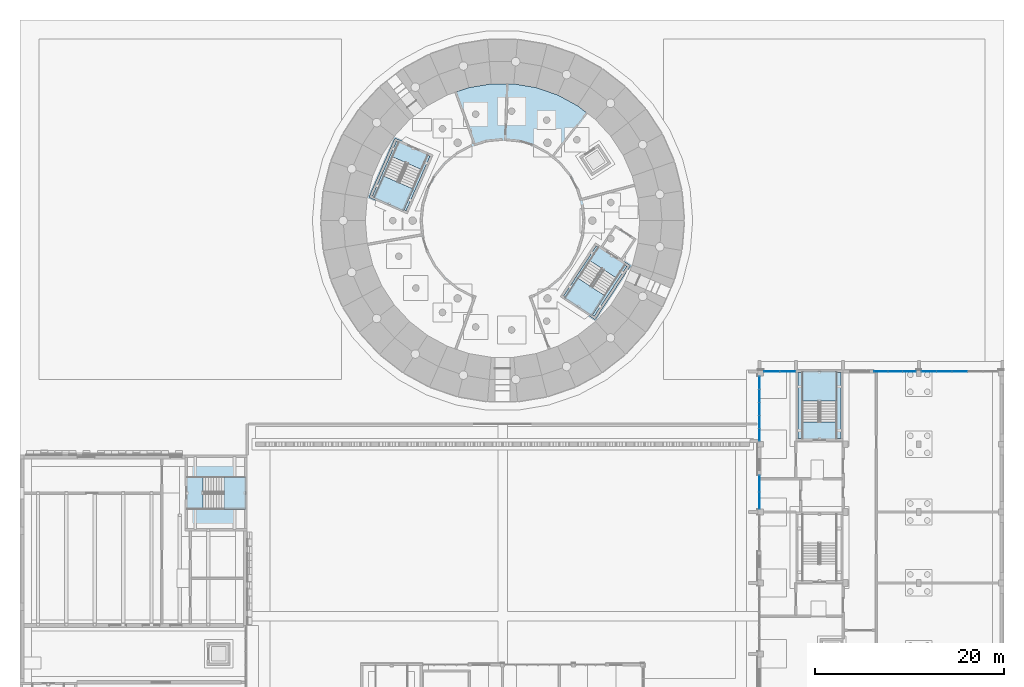
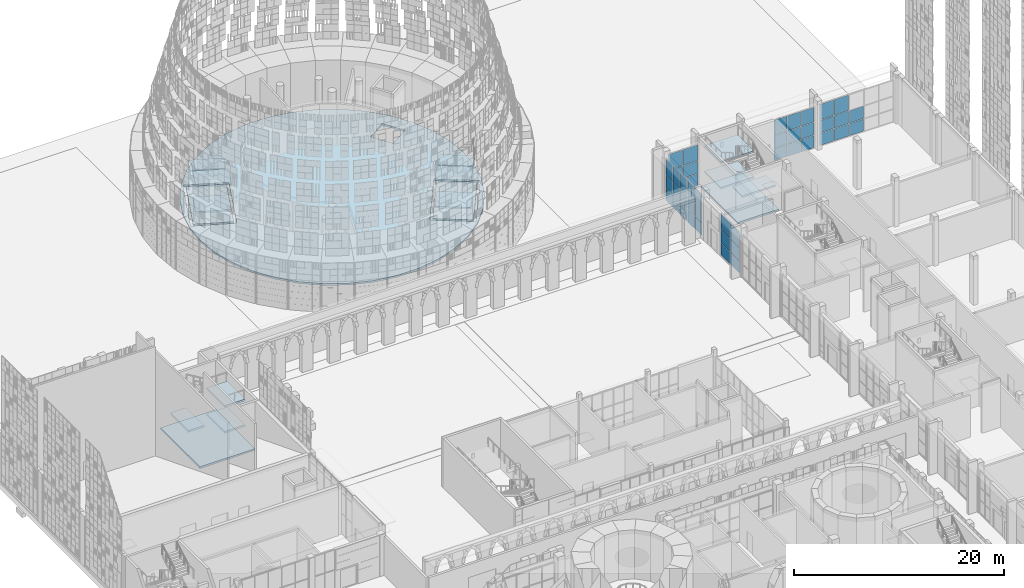
# One storey, part 45 of 125: 44 plates, 17 slabs, 9 elements without a shape of their own.
"""IFC4 building model written with IfcOpenShell, lengths in metres."""

from ifc_helpers import new_model, si_unit, direction, frame, origin, origin_2d, place, context, subcontext, project, spatial, polyline, rectangle, outline, extrude, material, layer, layer_set, type_object, element, aggregate, save


model = new_model("IFC4")

# Units and contexts
model_context = context("Model", 3, precision=1e-05, world=origin(), true_north=direction((0.0, 1.0)))
body_context = subcontext(model_context, "Body", "Model", "MODEL_VIEW")
ifc_project = project(units=[si_unit("LENGTHUNIT", "METRE"), si_unit("AREAUNIT", "SQUARE_METRE"), si_unit("VOLUMEUNIT", "CUBIC_METRE"), si_unit("PLANEANGLEUNIT", "RADIAN"), si_unit("MASSUNIT", "GRAM", prefix="KILO")], contexts=[model_context])

# Site, building, storey
site_placement = place(None, origin())
site = spatial("IfcSite", under=ifc_project, at=site_placement, CompositionType="ELEMENT")
building_placement = place(site_placement, origin())
building = spatial("IfcBuilding", under=site, at=building_placement, Name="Sun Court Science Centre", CompositionType="ELEMENT")
storey_placement = place(building_placement, origin())
storey = spatial("IfcBuildingStorey", under=building, at=storey_placement, Name="L00", CompositionType="ELEMENT", Elevation=0.0)

# Slabs
ifc_material_1 = material(Name="Concrete C25/30", Category="concrete")
ifc_layer_1 = layer(ifc_material_1, 0.199951171875)
ifc_layer_set_1 = layer_set([ifc_layer_1], Name="Concrete C25/30")
slab_type_1 = type_object("IfcSlabType", Name="RC ground slab 200", PredefinedType="BASESLAB", material=ifc_layer_set_1)
slab_1_placement = place(storey_placement, frame((0.0, 0.0, -0.199951171875)))
element("IfcSlab", 1, at=slab_1_placement, inside=storey, type_object=slab_type_1, Name="Stair SL4 ground slab", PredefinedType="BASESLAB", context=body_context, shape_type="SweptSolid", body=[
    extrude(outline(polyline([(82.25, 73.75), (86.75, 73.75), (86.75, 80.75), (82.25, 80.75), (82.25, 73.75)])), origin(), (0.0, 0.0, 1.0), 0.199951171875),
])
slab_2_placement = place(storey_placement, frame((0.0, 0.0, -0.199951171875)))
element("IfcSlab", 2, at=slab_2_placement, inside=storey, type_object=slab_type_1, Name="Stair ST2 ground slab", PredefinedType="BASESLAB", context=body_context, shape_type="SweptSolid", body=[
    extrude(outline(polyline([(17.699951171875, 64.25), (23.75, 64.25), (23.75, 71.75), (17.699951171875, 71.75), (17.699951171875, 64.25)])), origin(), (0.0, 0.0, 1.0), 0.199951171875),
])
slab_3_placement = place(storey_placement, frame((0.0, 0.0, -0.199951171875)))
element("IfcSlab", 3, at=slab_3_placement, inside=storey, type_object=slab_type_1, Name="Ground slab L00", PredefinedType="BASESLAB", context=body_context, shape_type="SweptSolid", body=[
    extrude(outline(polyline([(65.498291015625, 96.800048828125), (65.300537109375, 99.186279296875), (64.712646484375, 101.507568359375), (63.7509765625, 103.700439453125), (62.441162109375, 105.705078125), (60.8193359375, 107.466796875), (58.929931640625, 108.9375), (56.823974609375, 110.0771484375), (54.55908203125, 110.854736328125), (52.197265625, 111.248779296875), (49.802734375, 111.248779296875), (47.44091796875, 110.854736328125), (45.176025390625, 110.0771484375), (43.070068359375, 108.9375), (41.1806640625, 107.466796875), (39.558837890625, 105.705078125), (38.2490234375, 103.700439453125), (37.287353515625, 101.507568359375), (36.699462890625, 99.186279296875), (36.501708984375, 96.800048828125), (36.699462890625, 94.41357421875), (37.287353515625, 92.092529296875), (38.2490234375, 89.899658203125), (39.558837890625, 87.89501953125), (41.1806640625, 86.13330078125), (43.070068359375, 84.66259765625), (45.176025390625, 83.52294921875), (47.44091796875, 82.745361328125), (49.802734375, 82.351318359375), (52.197265625, 82.351318359375), (54.55908203125, 82.745361328125), (56.823974609375, 83.52294921875), (58.929931640625, 84.66259765625), (60.8193359375, 86.13330078125), (62.441162109375, 87.89501953125), (63.7509765625, 89.899658203125), (64.712646484375, 92.092529296875), (65.300537109375, 94.41357421875), (65.498291015625, 96.800048828125)]), holes=[polyline([(57.093505859375, 88.757568359375), (60.812744140625, 94.450439453125), (64.496337890625, 92.043701171875), (60.777099609375, 86.35107421875), (57.093505859375, 88.757568359375)]), polyline([(59.11669921875, 103.55126953125), (61.146728515625, 104.87744140625), (62.47314453125, 102.847412109375), (60.44287109375, 101.52099609375), (59.11669921875, 103.55126953125)]), polyline([(40.934326171875, 97.50244140625), (36.905029296875, 99.27001953125), (39.636474609375, 105.497314453125), (43.666015625, 103.729736328125), (40.934326171875, 97.50244140625)])]), origin(), (0.0, 0.0, 1.0), 0.199951171875),
])
slab_4_placement = place(storey_placement, frame((0.0, 0.0, -0.199951171875)))
element("IfcSlab", 4, at=slab_4_placement, inside=storey, type_object=slab_type_1, Name="Stair PS1 ground slab", PredefinedType="BASESLAB", context=body_context, shape_type="SweptSolid", body=[
    extrude(outline(polyline([(57.439453125, 88.830078125), (60.704345703125, 86.697021484375), (64.150146484375, 91.97119140625), (60.88525390625, 94.104248046875), (57.439453125, 88.830078125)])), origin(), (0.0, 0.0, 1.0), 0.199951171875),
])
slab_5_placement = place(storey_placement, frame((0.0, 0.0, -0.199951171875)))
element("IfcSlab", 5, at=slab_5_placement, inside=storey, type_object=slab_type_1, Name="Stair PS2 ground slab", PredefinedType="BASESLAB", context=body_context, shape_type="SweptSolid", body=[
    extrude(outline(polyline([(43.336669921875, 103.601318359375), (39.76513671875, 105.167724609375), (37.234375, 99.3984375), (40.805908203125, 97.831787109375), (43.336669921875, 103.601318359375)])), origin(), (0.0, 0.0, 1.0), 0.199951171875),
])

# Curtain wall, plates
ifc_material_2 = material(Name="Aluminium EN AW-6063 T6", Category="aluminium")
curtain_wall_type = type_object("IfcCurtainWallType", Name="Laboratory tall bay curtain wall 1500", PredefinedType="NOTDEFINED", material=ifc_material_2)
curtain_wall_1_placement = place(storey_placement, origin())
curtain_wall_1 = element("IfcCurtainWall", 6, at=curtain_wall_1_placement, inside=storey, type_object=curtain_wall_type, Name="Curtain wall V4 W L00 08", PredefinedType="NOTDEFINED")
ifc_material_3 = material(Name="Solar-control glass", Category="glass")
ifc_layer_2 = layer(ifc_material_3, 0.028076171875)
ifc_layer_set_2 = layer_set([ifc_layer_2], Name="Solar-control glass")
plate_type = type_object("IfcPlateType", Name="Solar-control glazing panel 8-12-8", PredefinedType="CURTAIN_PANEL", material=ifc_layer_set_2)
plate_1_placement = place(storey_placement, frame((78.14990234375, 67.215087890625, 0.06005859375), z_axis=(0.0, 0.0, 1.0), x_axis=(0.0, 1.0, 0.0)))
plate_1 = element("IfcPlate", 7, at=plate_1_placement, type_object=plate_type, Name="CW2-08 panel 1.1", PredefinedType="CURTAIN_PANEL", context=body_context, shape_type="SweptSolid", body=[
    extrude(rectangle(XDim=1.7099609375, YDim=0.028076171875, at=origin_2d()), origin(), (0.0, 0.0, 1.0), 1.409912109375),
])
plate_2_placement = place(storey_placement, frame((78.14990234375, 68.985107421875, 0.06005859375), z_axis=(0.0, 0.0, 1.0), x_axis=(0.0, 1.0, 0.0)))
plate_2 = element("IfcPlate", 8, at=plate_2_placement, type_object=plate_type, Name="CW2-08 panel 2.1", PredefinedType="CURTAIN_PANEL", context=body_context, shape_type="SweptSolid", body=[
    extrude(rectangle(XDim=1.7099609375, YDim=0.028076171875, at=origin_2d()), origin(), (0.0, 0.0, 1.0), 1.409912109375),
])
plate_3_placement = place(storey_placement, frame((78.14990234375, 67.215087890625, 1.530029296875), z_axis=(0.0, 0.0, 1.0), x_axis=(0.0, 1.0, 0.0)))
plate_3 = element("IfcPlate", 9, at=plate_3_placement, type_object=plate_type, Name="CW2-08 panel 1.2", PredefinedType="CURTAIN_PANEL", context=body_context, shape_type="SweptSolid", body=[
    extrude(rectangle(XDim=1.7099609375, YDim=0.028076171875, at=origin_2d()), origin(), (0.0, 0.0, 1.0), 1.43994140625),
])
plate_4_placement = place(storey_placement, frame((78.14990234375, 68.985107421875, 1.530029296875), z_axis=(0.0, 0.0, 1.0), x_axis=(0.0, 1.0, 0.0)))
plate_4 = element("IfcPlate", 10, at=plate_4_placement, type_object=plate_type, Name="CW2-08 panel 2.2", PredefinedType="CURTAIN_PANEL", context=body_context, shape_type="SweptSolid", body=[
    extrude(rectangle(XDim=1.7099609375, YDim=0.028076171875, at=origin_2d()), origin(), (0.0, 0.0, 1.0), 1.43994140625),
])
plate_5_placement = place(storey_placement, frame((78.14990234375, 67.215087890625, 3.030029296875), z_axis=(0.0, 0.0, 1.0), x_axis=(0.0, 1.0, 0.0)))
plate_5 = element("IfcPlate", 11, at=plate_5_placement, type_object=plate_type, Name="CW2-08 panel 1.3", PredefinedType="CURTAIN_PANEL", context=body_context, shape_type="SweptSolid", body=[
    extrude(rectangle(XDim=1.7099609375, YDim=0.028076171875, at=origin_2d()), origin(), (0.0, 0.0, 1.0), 1.81005859375),
])
plate_6_placement = place(storey_placement, frame((78.14990234375, 68.985107421875, 3.030029296875), z_axis=(0.0, 0.0, 1.0), x_axis=(0.0, 1.0, 0.0)))
plate_6 = element("IfcPlate", 12, at=plate_6_placement, type_object=plate_type, Name="CW2-08 panel 2.3", PredefinedType="CURTAIN_PANEL", context=body_context, shape_type="SweptSolid", body=[
    extrude(rectangle(XDim=1.7099609375, YDim=0.028076171875, at=origin_2d()), origin(), (0.0, 0.0, 1.0), 1.81005859375),
])
aggregate(curtain_wall_1, [plate_1, plate_2, plate_3, plate_4, plate_5, plate_6])

curtain_wall_2_placement = place(storey_placement, origin())
curtain_wall_2 = element("IfcCurtainWall", 13, at=curtain_wall_2_placement, inside=storey, type_object=curtain_wall_type, Name="Curtain wall V4 W L00 09", PredefinedType="NOTDEFINED")
plate_7_placement = place(storey_placement, frame((78.14990234375, 74.155029296875, 0.06005859375), z_axis=(0.0, 0.0, 1.0), x_axis=(0.0, 1.0, 0.0)))
plate_7 = element("IfcPlate", 14, at=plate_7_placement, type_object=plate_type, Name="CW2-09 panel 1.1", PredefinedType="CURTAIN_PANEL", context=body_context, shape_type="SweptSolid", body=[
    extrude(rectangle(XDim=1.2900390625, YDim=0.028076171875, at=origin_2d()), origin(), (0.0, 0.0, 1.0), 1.409912109375),
])
plate_8_placement = place(storey_placement, frame((78.14990234375, 75.52001953125, 0.06005859375), z_axis=(0.0, 0.0, 1.0), x_axis=(0.0, 1.0, 0.0)))
plate_8 = element("IfcPlate", 15, at=plate_8_placement, type_object=plate_type, Name="CW2-09 panel 2.1", PredefinedType="CURTAIN_PANEL", context=body_context, shape_type="SweptSolid", body=[
    extrude(rectangle(XDim=1.320068359375, YDim=0.028076171875, at=origin_2d()), origin(), (0.0, 0.0, 1.0), 1.409912109375),
])
plate_9_placement = place(storey_placement, frame((78.14990234375, 76.89990234375, 0.06005859375), z_axis=(0.0, 0.0, 1.0), x_axis=(0.0, 1.0, 0.0)))
plate_9 = element("IfcPlate", 16, at=plate_9_placement, type_object=plate_type, Name="CW2-09 panel 3.1", PredefinedType="CURTAIN_PANEL", context=body_context, shape_type="SweptSolid", body=[
    extrude(rectangle(XDim=1.320068359375, YDim=0.028076171875, at=origin_2d()), origin(), (0.0, 0.0, 1.0), 1.409912109375),
])
plate_10_placement = place(storey_placement, frame((78.14990234375, 78.280029296875, 0.06005859375), z_axis=(0.0, 0.0, 1.0), x_axis=(0.0, 1.0, 0.0)))
plate_10 = element("IfcPlate", 17, at=plate_10_placement, type_object=plate_type, Name="CW2-09 panel 4.1", PredefinedType="CURTAIN_PANEL", context=body_context, shape_type="SweptSolid", body=[
    extrude(rectangle(XDim=1.320068359375, YDim=0.028076171875, at=origin_2d()), origin(), (0.0, 0.0, 1.0), 1.409912109375),
])
plate_11_placement = place(storey_placement, frame((78.14990234375, 79.64501953125, 0.06005859375), z_axis=(0.0, 0.0, 1.0), x_axis=(0.0, 1.0, 0.0)))
plate_11 = element("IfcPlate", 18, at=plate_11_placement, type_object=plate_type, Name="CW2-09 panel 5.1", PredefinedType="CURTAIN_PANEL", context=body_context, shape_type="SweptSolid", body=[
    extrude(rectangle(XDim=1.2900390625, YDim=0.028076171875, at=origin_2d()), origin(), (0.0, 0.0, 1.0), 1.409912109375),
])
plate_12_placement = place(storey_placement, frame((78.14990234375, 74.155029296875, 1.530029296875), z_axis=(0.0, 0.0, 1.0), x_axis=(0.0, 1.0, 0.0)))
plate_12 = element("IfcPlate", 19, at=plate_12_placement, type_object=plate_type, Name="CW2-09 panel 1.2", PredefinedType="CURTAIN_PANEL", context=body_context, shape_type="SweptSolid", body=[
    extrude(rectangle(XDim=1.2900390625, YDim=0.028076171875, at=origin_2d()), origin(), (0.0, 0.0, 1.0), 1.43994140625),
])
plate_13_placement = place(storey_placement, frame((78.14990234375, 75.52001953125, 1.530029296875), z_axis=(0.0, 0.0, 1.0), x_axis=(0.0, 1.0, 0.0)))
plate_13 = element("IfcPlate", 20, at=plate_13_placement, type_object=plate_type, Name="CW2-09 panel 2.2", PredefinedType="CURTAIN_PANEL", context=body_context, shape_type="SweptSolid", body=[
    extrude(rectangle(XDim=1.320068359375, YDim=0.028076171875, at=origin_2d()), origin(), (0.0, 0.0, 1.0), 1.43994140625),
])
plate_14_placement = place(storey_placement, frame((78.14990234375, 76.89990234375, 1.530029296875), z_axis=(0.0, 0.0, 1.0), x_axis=(0.0, 1.0, 0.0)))
plate_14 = element("IfcPlate", 21, at=plate_14_placement, type_object=plate_type, Name="CW2-09 panel 3.2", PredefinedType="CURTAIN_PANEL", context=body_context, shape_type="SweptSolid", body=[
    extrude(rectangle(XDim=1.320068359375, YDim=0.028076171875, at=origin_2d()), origin(), (0.0, 0.0, 1.0), 1.43994140625),
])
plate_15_placement = place(storey_placement, frame((78.14990234375, 78.280029296875, 1.530029296875), z_axis=(0.0, 0.0, 1.0), x_axis=(0.0, 1.0, 0.0)))
plate_15 = element("IfcPlate", 22, at=plate_15_placement, type_object=plate_type, Name="CW2-09 panel 4.2", PredefinedType="CURTAIN_PANEL", context=body_context, shape_type="SweptSolid", body=[
    extrude(rectangle(XDim=1.320068359375, YDim=0.028076171875, at=origin_2d()), origin(), (0.0, 0.0, 1.0), 1.43994140625),
])
plate_16_placement = place(storey_placement, frame((78.14990234375, 79.64501953125, 1.530029296875), z_axis=(0.0, 0.0, 1.0), x_axis=(0.0, 1.0, 0.0)))
plate_16 = element("IfcPlate", 23, at=plate_16_placement, type_object=plate_type, Name="CW2-09 panel 5.2", PredefinedType="CURTAIN_PANEL", context=body_context, shape_type="SweptSolid", body=[
    extrude(rectangle(XDim=1.2900390625, YDim=0.028076171875, at=origin_2d()), origin(), (0.0, 0.0, 1.0), 1.43994140625),
])
plate_17_placement = place(storey_placement, frame((78.14990234375, 74.155029296875, 3.030029296875), z_axis=(0.0, 0.0, 1.0), x_axis=(0.0, 1.0, 0.0)))
plate_17 = element("IfcPlate", 24, at=plate_17_placement, type_object=plate_type, Name="CW2-09 panel 1.3", PredefinedType="CURTAIN_PANEL", context=body_context, shape_type="SweptSolid", body=[
    extrude(rectangle(XDim=1.2900390625, YDim=0.028076171875, at=origin_2d()), origin(), (0.0, 0.0, 1.0), 1.81005859375),
])
plate_18_placement = place(storey_placement, frame((78.14990234375, 75.52001953125, 3.030029296875), z_axis=(0.0, 0.0, 1.0), x_axis=(0.0, 1.0, 0.0)))
plate_18 = element("IfcPlate", 25, at=plate_18_placement, type_object=plate_type, Name="CW2-09 panel 2.3", PredefinedType="CURTAIN_PANEL", context=body_context, shape_type="SweptSolid", body=[
    extrude(rectangle(XDim=1.320068359375, YDim=0.028076171875, at=origin_2d()), origin(), (0.0, 0.0, 1.0), 1.81005859375),
])
plate_19_placement = place(storey_placement, frame((78.14990234375, 76.89990234375, 3.030029296875), z_axis=(0.0, 0.0, 1.0), x_axis=(0.0, 1.0, 0.0)))
plate_19 = element("IfcPlate", 26, at=plate_19_placement, type_object=plate_type, Name="CW2-09 panel 3.3", PredefinedType="CURTAIN_PANEL", context=body_context, shape_type="SweptSolid", body=[
    extrude(rectangle(XDim=1.320068359375, YDim=0.028076171875, at=origin_2d()), origin(), (0.0, 0.0, 1.0), 1.81005859375),
])
plate_20_placement = place(storey_placement, frame((78.14990234375, 78.280029296875, 3.030029296875), z_axis=(0.0, 0.0, 1.0), x_axis=(0.0, 1.0, 0.0)))
plate_20 = element("IfcPlate", 27, at=plate_20_placement, type_object=plate_type, Name="CW2-09 panel 4.3", PredefinedType="CURTAIN_PANEL", context=body_context, shape_type="SweptSolid", body=[
    extrude(rectangle(XDim=1.320068359375, YDim=0.028076171875, at=origin_2d()), origin(), (0.0, 0.0, 1.0), 1.81005859375),
])
plate_21_placement = place(storey_placement, frame((78.14990234375, 79.64501953125, 3.030029296875), z_axis=(0.0, 0.0, 1.0), x_axis=(0.0, 1.0, 0.0)))
plate_21 = element("IfcPlate", 28, at=plate_21_placement, type_object=plate_type, Name="CW2-09 panel 5.3", PredefinedType="CURTAIN_PANEL", context=body_context, shape_type="SweptSolid", body=[
    extrude(rectangle(XDim=1.2900390625, YDim=0.028076171875, at=origin_2d()), origin(), (0.0, 0.0, 1.0), 1.81005859375),
])
aggregate(curtain_wall_2, [plate_7, plate_8, plate_9, plate_10, plate_11, plate_12, plate_13, plate_14, plate_15, plate_16, plate_17, plate_18, plate_19, plate_20, plate_21])

curtain_wall_3_placement = place(storey_placement, origin())
curtain_wall_3 = element("IfcCurtainWall", 29, at=curtain_wall_3_placement, inside=storey, type_object=curtain_wall_type, Name="Curtain wall V4 N L00 01", PredefinedType="NOTDEFINED")
plate_22_placement = place(storey_placement, frame((79.465087890625, 80.85009765625, 0.06005859375), z_axis=(0.0, 0.0, 1.0), x_axis=(1.0, 0.0, 0.0)))
plate_22 = element("IfcPlate", 30, at=plate_22_placement, type_object=plate_type, Name="CW2-61 panel 1.1", PredefinedType="CURTAIN_PANEL", context=body_context, shape_type="SweptSolid", body=[
    extrude(rectangle(XDim=1.610107421875, YDim=0.028076171875, at=origin_2d()), origin(), (0.0, 0.0, 1.0), 1.409912109375),
])
plate_23_placement = place(storey_placement, frame((81.135009765625, 80.85009765625, 0.06005859375), z_axis=(0.0, 0.0, 1.0), x_axis=(1.0, 0.0, 0.0)))
plate_23 = element("IfcPlate", 31, at=plate_23_placement, type_object=plate_type, Name="CW2-61 panel 2.1", PredefinedType="CURTAIN_PANEL", context=body_context, shape_type="SweptSolid", body=[
    extrude(rectangle(XDim=1.610107421875, YDim=0.028076171875, at=origin_2d()), origin(), (0.0, 0.0, 1.0), 1.409912109375),
])
plate_24_placement = place(storey_placement, frame((79.465087890625, 80.85009765625, 1.530029296875), z_axis=(0.0, 0.0, 1.0), x_axis=(1.0, 0.0, 0.0)))
plate_24 = element("IfcPlate", 32, at=plate_24_placement, type_object=plate_type, Name="CW2-61 panel 1.2", PredefinedType="CURTAIN_PANEL", context=body_context, shape_type="SweptSolid", body=[
    extrude(rectangle(XDim=1.610107421875, YDim=0.028076171875, at=origin_2d()), origin(), (0.0, 0.0, 1.0), 1.43994140625),
])
plate_25_placement = place(storey_placement, frame((81.135009765625, 80.85009765625, 1.530029296875), z_axis=(0.0, 0.0, 1.0), x_axis=(1.0, 0.0, 0.0)))
plate_25 = element("IfcPlate", 33, at=plate_25_placement, type_object=plate_type, Name="CW2-61 panel 2.2", PredefinedType="CURTAIN_PANEL", context=body_context, shape_type="SweptSolid", body=[
    extrude(rectangle(XDim=1.610107421875, YDim=0.028076171875, at=origin_2d()), origin(), (0.0, 0.0, 1.0), 1.43994140625),
])
plate_26_placement = place(storey_placement, frame((79.465087890625, 80.85009765625, 3.030029296875), z_axis=(0.0, 0.0, 1.0), x_axis=(1.0, 0.0, 0.0)))
plate_26 = element("IfcPlate", 34, at=plate_26_placement, type_object=plate_type, Name="CW2-61 panel 1.3", PredefinedType="CURTAIN_PANEL", context=body_context, shape_type="SweptSolid", body=[
    extrude(rectangle(XDim=1.610107421875, YDim=0.028076171875, at=origin_2d()), origin(), (0.0, 0.0, 1.0), 1.81005859375),
])
plate_27_placement = place(storey_placement, frame((81.135009765625, 80.85009765625, 3.030029296875), z_axis=(0.0, 0.0, 1.0), x_axis=(1.0, 0.0, 0.0)))
plate_27 = element("IfcPlate", 35, at=plate_27_placement, type_object=plate_type, Name="CW2-61 panel 2.3", PredefinedType="CURTAIN_PANEL", context=body_context, shape_type="SweptSolid", body=[
    extrude(rectangle(XDim=1.610107421875, YDim=0.028076171875, at=origin_2d()), origin(), (0.0, 0.0, 1.0), 1.81005859375),
])
aggregate(curtain_wall_3, [plate_22, plate_23, plate_24, plate_25, plate_26, plate_27])

curtain_wall_4_placement = place(storey_placement, origin())
curtain_wall_4 = element("IfcCurtainWall", 36, at=curtain_wall_4_placement, inside=storey, type_object=curtain_wall_type, Name="Curtain wall V4 N L00 02", PredefinedType="NOTDEFINED")
plate_28_placement = place(storey_placement, frame((91.014892578125, 80.85009765625, 0.06005859375), z_axis=(0.0, 0.0, 1.0), x_axis=(1.0, 0.0, 0.0)))
plate_28 = element("IfcPlate", 37, at=plate_28_placement, type_object=plate_type, Name="CW2-62 panel 1.1", PredefinedType="CURTAIN_PANEL", context=body_context, shape_type="SweptSolid", body=[
    extrude(rectangle(XDim=1.409912109375, YDim=0.028076171875, at=origin_2d()), origin(), (0.0, 0.0, 1.0), 1.409912109375),
])
plate_29_placement = place(storey_placement, frame((92.5, 80.85009765625, 0.06005859375), z_axis=(0.0, 0.0, 1.0), x_axis=(1.0, 0.0, 0.0)))
plate_29 = element("IfcPlate", 38, at=plate_29_placement, type_object=plate_type, Name="CW2-62 panel 2.1", PredefinedType="CURTAIN_PANEL", context=body_context, shape_type="SweptSolid", body=[
    extrude(rectangle(XDim=1.43994140625, YDim=0.028076171875, at=origin_2d()), origin(), (0.0, 0.0, 1.0), 1.409912109375),
])
plate_30_placement = place(storey_placement, frame((93.985107421875, 80.85009765625, 0.06005859375), z_axis=(0.0, 0.0, 1.0), x_axis=(1.0, 0.0, 0.0)))
plate_30 = element("IfcPlate", 39, at=plate_30_placement, type_object=plate_type, Name="CW2-62 panel 3.1", PredefinedType="CURTAIN_PANEL", context=body_context, shape_type="SweptSolid", body=[
    extrude(rectangle(XDim=1.409912109375, YDim=0.028076171875, at=origin_2d()), origin(), (0.0, 0.0, 1.0), 1.409912109375),
])
plate_31_placement = place(storey_placement, frame((91.014892578125, 80.85009765625, 1.530029296875), z_axis=(0.0, 0.0, 1.0), x_axis=(1.0, 0.0, 0.0)))
plate_31 = element("IfcPlate", 40, at=plate_31_placement, type_object=plate_type, Name="CW2-62 panel 1.2", PredefinedType="CURTAIN_PANEL", context=body_context, shape_type="SweptSolid", body=[
    extrude(rectangle(XDim=1.409912109375, YDim=0.028076171875, at=origin_2d()), origin(), (0.0, 0.0, 1.0), 1.43994140625),
])
plate_32_placement = place(storey_placement, frame((92.5, 80.85009765625, 1.530029296875), z_axis=(0.0, 0.0, 1.0), x_axis=(1.0, 0.0, 0.0)))
plate_32 = element("IfcPlate", 41, at=plate_32_placement, type_object=plate_type, Name="CW2-62 panel 2.2", PredefinedType="CURTAIN_PANEL", context=body_context, shape_type="SweptSolid", body=[
    extrude(rectangle(XDim=1.43994140625, YDim=0.028076171875, at=origin_2d()), origin(), (0.0, 0.0, 1.0), 1.43994140625),
])
plate_33_placement = place(storey_placement, frame((93.985107421875, 80.85009765625, 1.530029296875), z_axis=(0.0, 0.0, 1.0), x_axis=(1.0, 0.0, 0.0)))
plate_33 = element("IfcPlate", 42, at=plate_33_placement, type_object=plate_type, Name="CW2-62 panel 3.2", PredefinedType="CURTAIN_PANEL", context=body_context, shape_type="SweptSolid", body=[
    extrude(rectangle(XDim=1.409912109375, YDim=0.028076171875, at=origin_2d()), origin(), (0.0, 0.0, 1.0), 1.43994140625),
])
plate_34_placement = place(storey_placement, frame((91.014892578125, 80.85009765625, 3.030029296875), z_axis=(0.0, 0.0, 1.0), x_axis=(1.0, 0.0, 0.0)))
plate_34 = element("IfcPlate", 43, at=plate_34_placement, type_object=plate_type, Name="CW2-62 panel 1.3", PredefinedType="CURTAIN_PANEL", context=body_context, shape_type="SweptSolid", body=[
    extrude(rectangle(XDim=1.409912109375, YDim=0.028076171875, at=origin_2d()), origin(), (0.0, 0.0, 1.0), 1.7099609375),
])
plate_35_placement = place(storey_placement, frame((92.5, 80.85009765625, 3.030029296875), z_axis=(0.0, 0.0, 1.0), x_axis=(1.0, 0.0, 0.0)))
plate_35 = element("IfcPlate", 44, at=plate_35_placement, type_object=plate_type, Name="CW2-62 panel 2.3", PredefinedType="CURTAIN_PANEL", context=body_context, shape_type="SweptSolid", body=[
    extrude(rectangle(XDim=1.43994140625, YDim=0.028076171875, at=origin_2d()), origin(), (0.0, 0.0, 1.0), 1.7099609375),
])
plate_36_placement = place(storey_placement, frame((93.985107421875, 80.85009765625, 3.030029296875), z_axis=(0.0, 0.0, 1.0), x_axis=(1.0, 0.0, 0.0)))
plate_36 = element("IfcPlate", 45, at=plate_36_placement, type_object=plate_type, Name="CW2-62 panel 3.3", PredefinedType="CURTAIN_PANEL", context=body_context, shape_type="SweptSolid", body=[
    extrude(rectangle(XDim=1.409912109375, YDim=0.028076171875, at=origin_2d()), origin(), (0.0, 0.0, 1.0), 1.7099609375),
])
aggregate(curtain_wall_4, [plate_28, plate_29, plate_30, plate_31, plate_32, plate_33, plate_34, plate_35, plate_36])

curtain_wall_5_placement = place(storey_placement, origin())
curtain_wall_5 = element("IfcCurtainWall", 46, at=curtain_wall_5_placement, inside=storey, type_object=curtain_wall_type, Name="Curtain wall V4 N L00 03", PredefinedType="NOTDEFINED")
plate_37_placement = place(storey_placement, frame((96.080078125, 80.85009765625, 0.06005859375), z_axis=(0.0, 0.0, 1.0), x_axis=(1.0, 0.0, 0.0)))
plate_37 = element("IfcPlate", 47, at=plate_37_placement, type_object=plate_type, Name="CW2-63 panel 1.1", PredefinedType="CURTAIN_PANEL", context=body_context, shape_type="SweptSolid", body=[
    extrude(rectangle(XDim=1.5400390625, YDim=0.028076171875, at=origin_2d()), origin(), (0.0, 0.0, 1.0), 1.409912109375),
])
plate_38_placement = place(storey_placement, frame((97.695068359375, 80.85009765625, 0.06005859375), z_axis=(0.0, 0.0, 1.0), x_axis=(1.0, 0.0, 0.0)))
plate_38 = element("IfcPlate", 48, at=plate_38_placement, type_object=plate_type, Name="CW2-63 panel 2.1", PredefinedType="CURTAIN_PANEL", context=body_context, shape_type="SweptSolid", body=[
    extrude(rectangle(XDim=1.570068359375, YDim=0.028076171875, at=origin_2d()), origin(), (0.0, 0.0, 1.0), 1.409912109375),
])
plate_39_placement = place(storey_placement, frame((99.324951171875, 80.85009765625, 0.06005859375), z_axis=(0.0, 0.0, 1.0), x_axis=(1.0, 0.0, 0.0)))
plate_39 = element("IfcPlate", 49, at=plate_39_placement, type_object=plate_type, Name="CW2-63 panel 3.1", PredefinedType="CURTAIN_PANEL", context=body_context, shape_type="SweptSolid", body=[
    extrude(rectangle(XDim=1.570068359375, YDim=0.028076171875, at=origin_2d()), origin(), (0.0, 0.0, 1.0), 1.409912109375),
])
plate_40_placement = place(storey_placement, frame((96.080078125, 80.85009765625, 1.530029296875), z_axis=(0.0, 0.0, 1.0), x_axis=(1.0, 0.0, 0.0)))
plate_40 = element("IfcPlate", 50, at=plate_40_placement, type_object=plate_type, Name="CW2-63 panel 1.2", PredefinedType="CURTAIN_PANEL", context=body_context, shape_type="SweptSolid", body=[
    extrude(rectangle(XDim=1.5400390625, YDim=0.028076171875, at=origin_2d()), origin(), (0.0, 0.0, 1.0), 1.43994140625),
])
plate_41_placement = place(storey_placement, frame((97.695068359375, 80.85009765625, 1.530029296875), z_axis=(0.0, 0.0, 1.0), x_axis=(1.0, 0.0, 0.0)))
plate_41 = element("IfcPlate", 51, at=plate_41_placement, type_object=plate_type, Name="CW2-63 panel 2.2", PredefinedType="CURTAIN_PANEL", context=body_context, shape_type="SweptSolid", body=[
    extrude(rectangle(XDim=1.570068359375, YDim=0.028076171875, at=origin_2d()), origin(), (0.0, 0.0, 1.0), 1.43994140625),
])
plate_42_placement = place(storey_placement, frame((99.324951171875, 80.85009765625, 1.530029296875), z_axis=(0.0, 0.0, 1.0), x_axis=(1.0, 0.0, 0.0)))
plate_42 = element("IfcPlate", 52, at=plate_42_placement, type_object=plate_type, Name="CW2-63 panel 3.2", PredefinedType="CURTAIN_PANEL", context=body_context, shape_type="SweptSolid", body=[
    extrude(rectangle(XDim=1.570068359375, YDim=0.028076171875, at=origin_2d()), origin(), (0.0, 0.0, 1.0), 1.43994140625),
])
plate_43_placement = place(storey_placement, frame((96.080078125, 80.85009765625, 3.030029296875), z_axis=(0.0, 0.0, 1.0), x_axis=(1.0, 0.0, 0.0)))
plate_43 = element("IfcPlate", 53, at=plate_43_placement, type_object=plate_type, Name="CW2-63 panel 1.3", PredefinedType="CURTAIN_PANEL", context=body_context, shape_type="SweptSolid", body=[
    extrude(rectangle(XDim=1.5400390625, YDim=0.028076171875, at=origin_2d()), origin(), (0.0, 0.0, 1.0), 1.81005859375),
])
plate_44_placement = place(storey_placement, frame((97.695068359375, 80.85009765625, 3.030029296875), z_axis=(0.0, 0.0, 1.0), x_axis=(1.0, 0.0, 0.0)))
plate_44 = element("IfcPlate", 54, at=plate_44_placement, type_object=plate_type, Name="CW2-63 panel 2.3", PredefinedType="CURTAIN_PANEL", context=body_context, shape_type="SweptSolid", body=[
    extrude(rectangle(XDim=1.570068359375, YDim=0.028076171875, at=origin_2d()), origin(), (0.0, 0.0, 1.0), 1.81005859375),
])
aggregate(curtain_wall_5, [plate_37, plate_38, plate_39, plate_40, plate_41, plate_42, plate_43, plate_44])

# Stair, slabs
ifc_material_4 = material(Name="Concrete C25/30", Category="concrete")
stair_type_1 = type_object("IfcStairType", Name="Stair 1500 enclosed half-turn", PredefinedType="HALF_TURN_STAIR", material=ifc_material_4)
stair_1_placement = place(storey_placement, origin())
stair_1 = element("IfcStair", 55, at=stair_1_placement, inside=storey, type_object=stair_type_1, Name="L00 Stair SL4", PredefinedType="HALF_TURN_STAIR")
ifc_material_5 = material(Name="Concrete C25/30", Category="concrete")
ifc_layer_3 = layer(ifc_material_5, 0.199951171875)
ifc_layer_set_3 = layer_set([ifc_layer_3], Name="Concrete C25/30")
slab_type_2 = type_object("IfcSlabType", Name="Stair landing 200", PredefinedType="LANDING", material=ifc_layer_set_3)
slab_6_placement = place(storey_placement, frame((0.0, 0.0, 1.300048828125)))
slab_6 = element("IfcSlab", 56, at=slab_6_placement, type_object=slab_type_2, Name="SL4 landing 1", PredefinedType="LANDING", context=body_context, shape_type="SweptSolid", body=[
    extrude(outline(polyline([(86.322998046875, 77.73388671875), (86.322998046875, 80.85009765625), (82.677001953125, 80.85009765625), (82.677001953125, 77.73388671875), (86.322998046875, 77.73388671875)])), origin(), (0.0, 0.0, 1.0), 0.199951171875),
])
slab_7_placement = place(storey_placement, frame((0.0, 0.0, 2.800048828125)))
slab_7 = element("IfcSlab", 57, at=slab_7_placement, type_object=slab_type_2, Name="SL4 landing 2", PredefinedType="LANDING", context=body_context, shape_type="SweptSolid", body=[
    extrude(outline(polyline([(86.322998046875, 73.64990234375), (86.322998046875, 75.501953125), (82.677001953125, 75.501953125), (82.677001953125, 73.64990234375), (86.322998046875, 73.64990234375)])), origin(), (0.0, 0.0, 1.0), 0.199951171875),
])
slab_8_placement = place(storey_placement, frame((0.0, 0.0, 4.300048828125)))
slab_8 = element("IfcSlab", 58, at=slab_8_placement, type_object=slab_type_2, Name="SL4 landing 3", PredefinedType="LANDING", context=body_context, shape_type="SweptSolid", body=[
    extrude(outline(polyline([(86.322998046875, 77.73388671875), (86.322998046875, 80.85009765625), (82.677001953125, 80.85009765625), (82.677001953125, 77.73388671875), (86.322998046875, 77.73388671875)])), origin(), (0.0, 0.0, 1.0), 0.199951171875),
])
aggregate(stair_1, [slab_6, slab_7, slab_8])

stair_2_placement = place(storey_placement, origin())
stair_2 = element("IfcStair", 59, at=stair_2_placement, inside=storey, type_object=stair_type_1, Name="L00 Stair ST2", PredefinedType="HALF_TURN_STAIR")
slab_9_placement = place(storey_placement, frame((0.0, 0.0, 1.300048828125)))
slab_9 = element("IfcSlab", 60, at=slab_9_placement, type_object=slab_type_2, Name="ST2 landing 1", PredefinedType="LANDING", context=body_context, shape_type="SweptSolid", body=[
    extrude(outline(polyline([(21.583984375, 66.277099609375), (23.85009765625, 66.277099609375), (23.85009765625, 69.722900390625), (21.583984375, 69.722900390625), (21.583984375, 66.277099609375)])), origin(), (0.0, 0.0, 1.0), 0.199951171875),
])
slab_10_placement = place(storey_placement, frame((0.0, 0.0, 2.800048828125)))
slab_10 = element("IfcSlab", 61, at=slab_10_placement, type_object=slab_type_2, Name="ST2 landing 2", PredefinedType="LANDING", context=body_context, shape_type="SweptSolid", body=[
    extrude(outline(polyline([(17.60009765625, 66.277099609375), (19.35205078125, 66.277099609375), (19.35205078125, 69.722900390625), (17.60009765625, 69.722900390625), (17.60009765625, 66.277099609375)])), origin(), (0.0, 0.0, 1.0), 0.199951171875),
])
slab_11_placement = place(storey_placement, frame((0.0, 0.0, 4.300048828125)))
slab_11 = element("IfcSlab", 62, at=slab_11_placement, type_object=slab_type_2, Name="ST2 landing 3", PredefinedType="LANDING", context=body_context, shape_type="SweptSolid", body=[
    extrude(outline(polyline([(21.583984375, 66.277099609375), (23.85009765625, 66.277099609375), (23.85009765625, 69.722900390625), (21.583984375, 69.722900390625), (21.583984375, 66.277099609375)])), origin(), (0.0, 0.0, 1.0), 0.199951171875),
])
aggregate(stair_2, [slab_9, slab_10, slab_11])

ifc_material_6 = material(Name="Concrete C25/30", Category="concrete")
stair_type_2 = type_object("IfcStairType", Name="Stair 1500 drum half-turn", PredefinedType="HALF_TURN_STAIR", material=ifc_material_6)
stair_3_placement = place(storey_placement, origin())
stair_3 = element("IfcStair", 63, at=stair_3_placement, inside=storey, type_object=stair_type_2, Name="L00 Stair PS1", PredefinedType="HALF_TURN_STAIR")
slab_12_placement = place(storey_placement, frame((0.0, 0.0, 1.300048828125)))
slab_12 = element("IfcSlab", 64, at=slab_12_placement, type_object=slab_type_2, Name="PS1 landing 1", PredefinedType="LANDING", context=body_context, shape_type="SweptSolid", body=[
    extrude(outline(polyline([(58.950927734375, 90.728515625), (57.57470703125, 88.622314453125), (60.459716796875, 86.737548828125), (61.8359375, 88.84375), (58.950927734375, 90.728515625)])), origin(), (0.0, 0.0, 1.0), 0.199951171875),
])
slab_13_placement = place(storey_placement, frame((0.0, 0.0, 2.800048828125)))
slab_13 = element("IfcSlab", 65, at=slab_13_placement, type_object=slab_type_2, Name="PS1 landing 2", PredefinedType="LANDING", context=body_context, shape_type="SweptSolid", body=[
    extrude(outline(polyline([(61.1298828125, 94.06396484375), (60.171630859375, 92.59716796875), (63.056640625, 90.71240234375), (64.014892578125, 92.17919921875), (61.1298828125, 94.06396484375)])), origin(), (0.0, 0.0, 1.0), 0.199951171875),
])
slab_14_placement = place(storey_placement, frame((0.0, 0.0, 4.300048828125)))
slab_14 = element("IfcSlab", 66, at=slab_14_placement, type_object=slab_type_2, Name="PS1 landing 3", PredefinedType="LANDING", context=body_context, shape_type="SweptSolid", body=[
    extrude(outline(polyline([(58.950927734375, 90.728515625), (57.57470703125, 88.622314453125), (60.459716796875, 86.737548828125), (61.8359375, 88.84375), (58.950927734375, 90.728515625)])), origin(), (0.0, 0.0, 1.0), 0.199951171875),
])
aggregate(stair_3, [slab_12, slab_13, slab_14])

stair_4_placement = place(storey_placement, origin())
stair_4 = element("IfcStair", 67, at=stair_4_placement, inside=storey, type_object=stair_type_2, Name="L00 Stair PS2", PredefinedType="HALF_TURN_STAIR")
slab_15_placement = place(storey_placement, frame((0.0, 0.0, 1.300048828125)))
slab_15 = element("IfcSlab", 68, at=slab_15_placement, type_object=slab_type_2, Name="PS2 landing 1", PredefinedType="LANDING", context=body_context, shape_type="SweptSolid", body=[
    extrude(outline(polyline([(38.412841796875, 101.519775390625), (37.402099609375, 99.215576171875), (40.557861328125, 97.83154296875), (41.568603515625, 100.135498046875), (38.412841796875, 101.519775390625)])), origin(), (0.0, 0.0, 1.0), 0.199951171875),
])
slab_16_placement = place(storey_placement, frame((0.0, 0.0, 2.800048828125)))
slab_16 = element("IfcSlab", 69, at=slab_16_placement, type_object=slab_type_2, Name="PS2 landing 2", PredefinedType="LANDING", context=body_context, shape_type="SweptSolid", body=[
    extrude(outline(polyline([(40.01318359375, 105.168212890625), (39.309326171875, 103.563720703125), (42.465087890625, 102.179443359375), (43.1689453125, 103.783935546875), (40.01318359375, 105.168212890625)])), origin(), (0.0, 0.0, 1.0), 0.199951171875),
])
slab_17_placement = place(storey_placement, frame((0.0, 0.0, 4.300048828125)))
slab_17 = element("IfcSlab", 70, at=slab_17_placement, type_object=slab_type_2, Name="PS2 landing 3", PredefinedType="LANDING", context=body_context, shape_type="SweptSolid", body=[
    extrude(outline(polyline([(38.412841796875, 101.519775390625), (37.402099609375, 99.215576171875), (40.557861328125, 97.83154296875), (41.568603515625, 100.135498046875), (38.412841796875, 101.519775390625)])), origin(), (0.0, 0.0, 1.0), 0.199951171875),
])
aggregate(stair_4, [slab_15, slab_16, slab_17])

save(model, "model.ifc")
